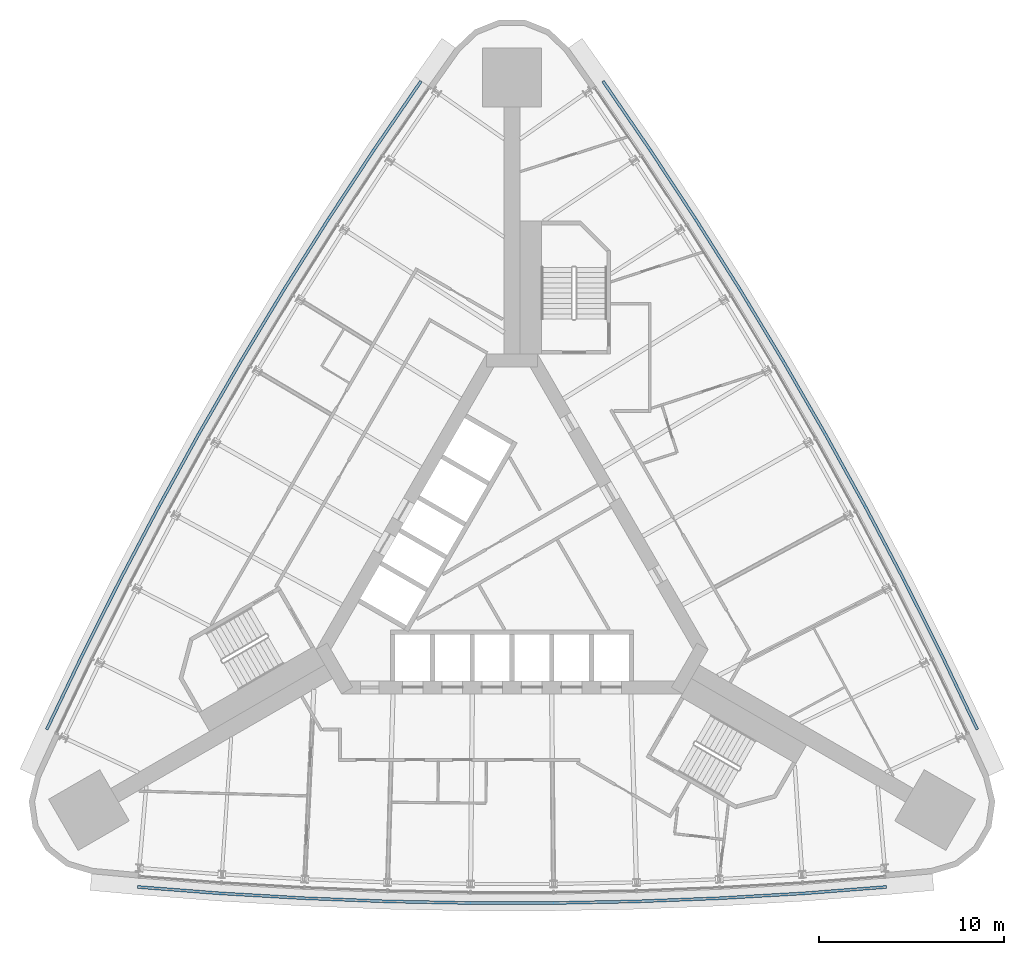
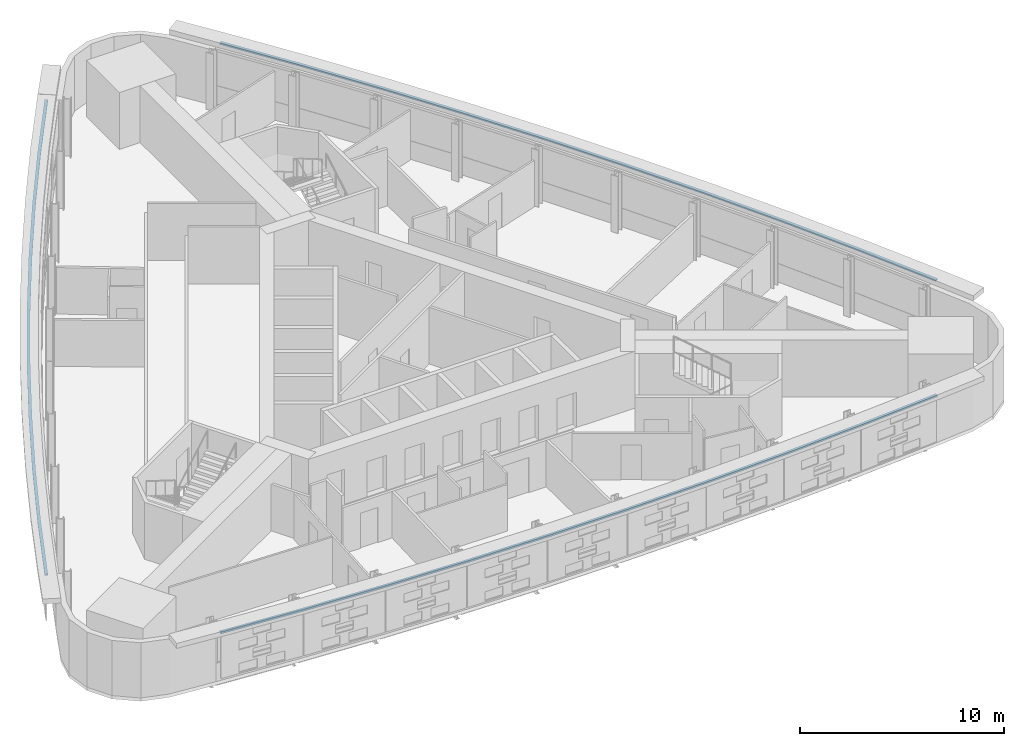
# One storey, part 12 of 14: 3 discrete accessories.
"""IFC4 building model written with IfcOpenShell, lengths in metres."""

from ifc_helpers import new_model, si_unit, direction, frame, origin, place, context, subcontext, project, spatial, polyline, outline, extrude, material, type_object, element, save


model = new_model("IFC4")

# Units and contexts
model_context = context("Model", 3, precision=1e-05, world=origin(), true_north=direction((0.0, 1.0)))
body_context = subcontext(model_context, "Body", "Model", "MODEL_VIEW")
ifc_project = project(units=[si_unit("LENGTHUNIT", "METRE"), si_unit("AREAUNIT", "SQUARE_METRE"), si_unit("VOLUMEUNIT", "CUBIC_METRE"), si_unit("PLANEANGLEUNIT", "RADIAN"), si_unit("MASSUNIT", "GRAM", prefix="KILO")], contexts=[model_context])

# Site, building, storey
site_placement = place(None, origin())
site = spatial("IfcSite", under=ifc_project, at=site_placement, CompositionType="ELEMENT")
building_placement = place(site_placement, origin())
building = spatial("IfcBuilding", under=site, at=building_placement, Name="Noor Cloister Tower", CompositionType="ELEMENT")
storey_placement = place(building_placement, frame((0.0, 0.0, 76.199951171875)))
storey = spatial("IfcBuildingStorey", under=building, at=storey_placement, Name="L19", CompositionType="ELEMENT", Elevation=76.199951171875)

# Discrete accessories
ifc_material = material(Name="Stainless steel grade 316", Category="steel")
discrete_accessory_type = type_object("IfcDiscreteAccessoryType", Name="Stainless hanger rail", PredefinedType="BRACKET", material=ifc_material)
discrete_accessory_1_placement = place(storey_placement, frame((0.0, 0.0, 3.199951171875)))
element("IfcDiscreteAccessory", 1, at=discrete_accessory_1_placement, inside=storey, type_object=discrete_accessory_type, Name="Hanger rail L19", PredefinedType="BRACKET", context=body_context, shape_type="SweptSolid", body=[
    extrude(outline(polyline([(-4.986083984375, 26.281982421875), (-7.532958984375, 22.5654296875), (-10.010498046875, 18.796142578125), (-12.414794921875, 14.9794921875), (-14.7451171875, 11.117431640625), (-17.00048828125, 7.2109375), (-19.18017578125, 3.26171875), (-21.282958984375, -0.728759765625), (-23.30859375, -4.759033203125), (-25.25390625, -8.82275390625), (-25.109619140625, -8.891845703125), (-23.1650390625, -4.82958984375), (-21.140869140625, -0.802001953125), (-19.039306640625, 3.185791015625), (-16.861083984375, 7.13232421875), (-14.607421875, 11.0361328125), (-12.278564453125, 14.8955078125), (-9.8759765625, 18.70947265625), (-7.39990234375, 22.476318359375), (-4.854248046875, 26.19140625), (-4.986083984375, 26.281982421875)])), origin(), (0.0, 0.0, 1.0), 0.10009765625),
])
discrete_accessory_2_placement = place(storey_placement, frame((0.0, 0.0, 3.199951171875)))
element("IfcDiscreteAccessory", 2, at=discrete_accessory_2_placement, inside=storey, type_object=discrete_accessory_type, Name="Hanger rail L19", PredefinedType="BRACKET", context=body_context, shape_type="SweptSolid", body=[
    extrude(outline(polyline([(-20.267822265625, -17.458984375), (-15.77587890625, -17.806396484375), (-11.272705078125, -18.0673828125), (-6.765380859375, -18.2412109375), (-2.25537109375, -18.328369140625), (2.25537109375, -18.328369140625), (6.765380859375, -18.2412109375), (11.272705078125, -18.0673828125), (15.77587890625, -17.806396484375), (20.267822265625, -17.458984375), (20.25537109375, -17.299560546875), (15.76513671875, -17.646728515625), (11.264892578125, -17.907470703125), (6.7607421875, -18.081298828125), (2.25390625, -18.168212890625), (-2.25390625, -18.168212890625), (-6.7607421875, -18.081298828125), (-11.264892578125, -17.907470703125), (-15.76513671875, -17.646728515625), (-20.25537109375, -17.299560546875), (-20.267822265625, -17.458984375)])), origin(), (0.0, 0.0, 1.0), 0.10009765625),
])
discrete_accessory_3_placement = place(storey_placement, frame((0.0, 0.0, 3.199951171875)))
element("IfcDiscreteAccessory", 3, at=discrete_accessory_3_placement, inside=storey, type_object=discrete_accessory_type, Name="Hanger rail L19", PredefinedType="BRACKET", context=body_context, shape_type="SweptSolid", body=[
    extrude(outline(polyline([(25.25390625, -8.82275390625), (23.30859375, -4.759033203125), (21.282958984375, -0.728759765625), (19.18017578125, 3.26171875), (17.00048828125, 7.2109375), (14.7451171875, 11.117431640625), (12.414794921875, 14.9794921875), (10.010498046875, 18.796142578125), (7.532958984375, 22.5654296875), (4.986083984375, 26.281982421875), (4.854248046875, 26.19140625), (7.39990234375, 22.476318359375), (9.8759765625, 18.70947265625), (12.278564453125, 14.8955078125), (14.607421875, 11.0361328125), (16.861083984375, 7.13232421875), (19.039306640625, 3.185791015625), (21.140869140625, -0.802001953125), (23.1650390625, -4.82958984375), (25.109619140625, -8.891845703125), (25.25390625, -8.82275390625)])), origin(), (0.0, 0.0, 1.0), 0.10009765625),
])

save(model, "model.ifc")
